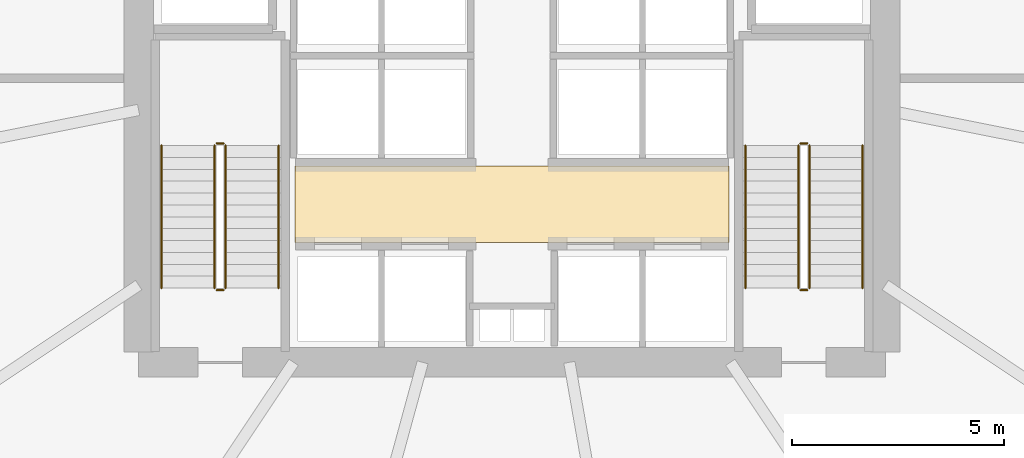
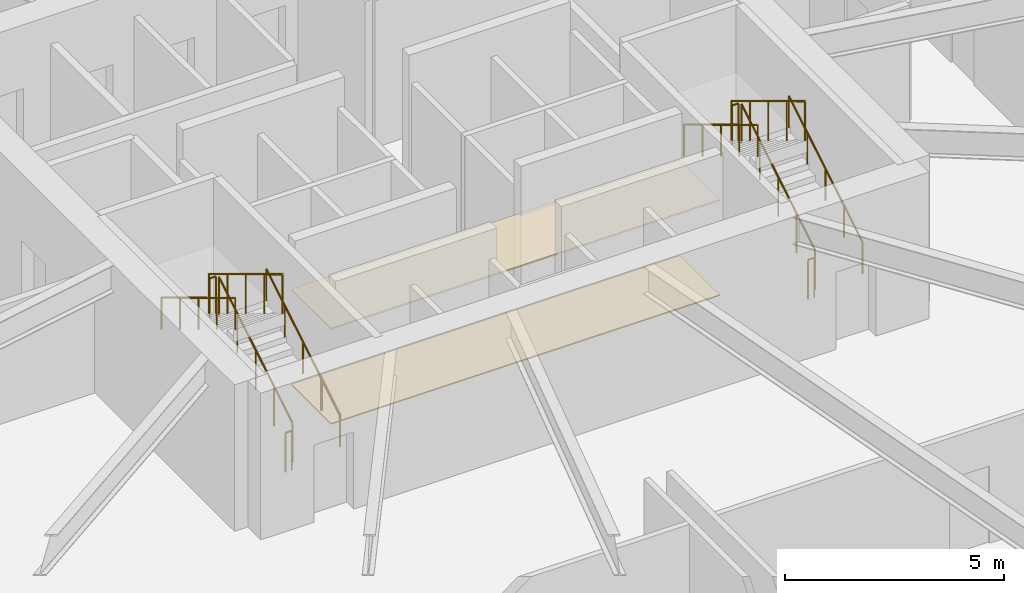
# One storey, part 31 of 34: 12 railings, 2 coverings.
"""IFC4 building model written with IfcOpenShell, lengths in metres."""

from ifc_helpers import new_model, si_unit, direction, frame, origin, origin_2d, place, context, subcontext, project, spatial, polyline, circle, outline, extrude, material, layer, layer_set, type_object, element, save


model = new_model("IFC4")

# Units and contexts
model_context = context("Model", 3, precision=1e-05, world=origin(), true_north=direction((0.0, 1.0)))
body_context = subcontext(model_context, "Body", "Model", "MODEL_VIEW")
ifc_project = project(units=[si_unit("LENGTHUNIT", "METRE"), si_unit("AREAUNIT", "SQUARE_METRE"), si_unit("VOLUMEUNIT", "CUBIC_METRE"), si_unit("PLANEANGLEUNIT", "RADIAN"), si_unit("MASSUNIT", "GRAM", prefix="KILO"), si_unit("THERMODYNAMICTEMPERATUREUNIT", "KELVIN")], contexts=[model_context])

# Site, building, storey
site_placement = place(None, origin())
site = spatial("IfcSite", under=ifc_project, at=site_placement, CompositionType="ELEMENT")
building_placement = place(site_placement, origin())
building = spatial("IfcBuilding", under=site, at=building_placement, Name="Kethvar Cultural Tower", CompositionType="ELEMENT")
storey_placement = place(building_placement, frame((0.0, 0.0, 19.60009765625)))
storey = spatial("IfcBuildingStorey", under=building, at=storey_placement, Name="L04", CompositionType="ELEMENT", Elevation=19.60009765625)

# Coverings
ifc_material_1 = material(Name="Acoustic Mineral Fibre Ceiling")
ifc_layer_1 = layer(ifc_material_1, 0.0400390625, Name="Acoustic Mineral Fibre Ceiling")
ifc_layer_set_1 = layer_set([ifc_layer_1], Name="Acoustic Mineral Fibre Ceiling (40 mm)")
covering_type_1 = type_object("IfcCoveringType", Name="CV-ACOUSTIC-CEIL", PredefinedType="CEILING", material=ifc_layer_set_1)
covering_1_placement = place(storey_placement, frame((0.0, 0.0, 2.639892578125)))
element("IfcCovering", 1, at=covering_1_placement, inside=storey, type_object=covering_type_1, Name="L04 Lift Lobby Acoustic Ceiling", PredefinedType="CEILING", context=body_context, shape_type="SweptSolid", body=[
    extrude(outline(polyline([(41.679931640625, 22.919921875), (51.919921875, 22.919921875), (51.919921875, 24.72998046875), (41.679931640625, 24.72998046875), (41.679931640625, 22.919921875)])), origin(), (0.0, 0.0, 1.0), 0.0400390625),
])
ifc_material_2 = material(Name="Honed Warm Limestone", Category="masonry")
ifc_layer_2 = layer(ifc_material_2, 0.030029296875, Name="Honed Warm Limestone", Category="masonry")
ifc_layer_set_2 = layer_set([ifc_layer_2], Name="Honed Warm Limestone (30 mm)")
covering_type_2 = type_object("IfcCoveringType", Name="CV-STONE-FLOOR", PredefinedType="FLOORING", material=ifc_layer_set_2)
covering_2_placement = place(storey_placement, origin())
element("IfcCovering", 2, at=covering_2_placement, inside=storey, type_object=covering_type_2, Name="L04 Lift Lobby Floor Finish", PredefinedType="FLOORING", context=body_context, shape_type="SweptSolid", body=[
    extrude(outline(polyline([(41.679931640625, 22.919921875), (51.919921875, 22.919921875), (51.919921875, 24.72998046875), (41.679931640625, 24.72998046875), (41.679931640625, 22.919921875)])), origin(), (0.0, 0.0, 1.0), 0.02978515625),
])

# Railings
ifc_material_3 = material(Name="Steel S355J2", Category="steel")
railing_type_1 = type_object("IfcRailingType", Name="RL-STAIR-GUARD", PredefinedType="BALUSTRADE", material=ifc_material_3)
railing_1_placement = place(storey_placement, frame((40.050048828125, 21.85009765625, 0.169189453125)))
element("IfcRailing", 3, at=railing_1_placement, inside=storey, type_object=railing_type_1, Name="L04 ST-01 stair guard 1", PredefinedType="BALUSTRADE", context=body_context, shape_type="SweptSolid", body=[
    extrude(circle(Radius=0.02392578125, at=origin_2d()), frame((0.0, 0.0, 1.09619140625), z_axis=(0.0, 0.855820338506, 0.51727318527), x_axis=(-1.0, 0.0, 0.0)), (0.0, 0.0, 1.0), 3.92578125),
    extrude(circle(Radius=0.02099609375, at=origin_2d()), origin(), (0.0, 0.0, 1.0), 1.072021484375),
    extrude(circle(Radius=0.02099609375, at=origin_2d()), frame((0.0, 0.83984375, 0.5078125)), (0.0, 0.0, 1.0), 1.072021484375),
    extrude(circle(Radius=0.02099609375, at=origin_2d()), frame((0.0, 1.679931640625, 1.015380859375)), (0.0, 0.0, 1.0), 1.072021484375),
    extrude(circle(Radius=0.02099609375, at=origin_2d()), frame((0.0, 2.52001953125, 1.52294921875)), (0.0, 0.0, 1.0), 1.072021484375),
    extrude(circle(Radius=0.02099609375, at=origin_2d()), frame((0.0, 3.35986328125, 2.03076171875)), (0.0, 0.0, 1.0), 1.072021484375),
])
railing_2_placement = place(storey_placement, frame((40.0, 25.260009765625, 2.199951171875)))
element("IfcRailing", 4, at=railing_2_placement, inside=storey, type_object=railing_type_1, Name="L04 ST-01 stair guard 2", PredefinedType="BALUSTRADE", context=body_context, shape_type="SweptSolid", body=[
    extrude(circle(Radius=0.02392578125, at=origin_2d()), frame((0.0, 0.0, 1.09619140625), z_axis=(-1.0, 0.0, 0.0), x_axis=(0.0, -1.0, 0.0)), (0.0, 0.0, 1.0), 0.159912109375),
    extrude(circle(Radius=0.02099609375, at=origin_2d()), origin(), (0.0, 0.0, 1.0), 1.072021484375),
    extrude(circle(Radius=0.02099609375, at=origin_2d()), frame((-0.159912109375, 0.0, 0.0)), (0.0, 0.0, 1.0), 1.072021484375),
])
railing_3_placement = place(storey_placement, frame((39.7900390625, 25.2099609375, 2.369140625)))
element("IfcRailing", 5, at=railing_3_placement, inside=storey, type_object=railing_type_1, Name="L04 ST-01 stair guard 3", PredefinedType="BALUSTRADE", context=body_context, shape_type="SweptSolid", body=[
    extrude(circle(Radius=0.02392578125, at=origin_2d()), frame((0.0, 0.0, 1.09619140625), z_axis=(0.0, -0.855820338506, 0.51727318527), x_axis=(1.0, 0.0, 0.0)), (0.0, 0.0, 1.0), 3.92578125),
    extrude(circle(Radius=0.02099609375, at=origin_2d()), origin(), (0.0, 0.0, 1.0), 1.072021484375),
    extrude(circle(Radius=0.02099609375, at=origin_2d()), frame((0.0, -0.83984375, 0.5078125)), (0.0, 0.0, 1.0), 1.072021484375),
    extrude(circle(Radius=0.02099609375, at=origin_2d()), frame((0.0, -1.679931640625, 1.015380859375)), (0.0, 0.0, 1.0), 1.072021484375),
    extrude(circle(Radius=0.02099609375, at=origin_2d()), frame((0.0, -2.52001953125, 1.52294921875)), (0.0, 0.0, 1.0), 1.072021484375),
    extrude(circle(Radius=0.02099609375, at=origin_2d()), frame((0.0, -3.35986328125, 2.03076171875)), (0.0, 0.0, 1.0), 1.072021484375),
])
railing_4_placement = place(storey_placement, frame((40.0, 21.800048828125, 0.0)))
element("IfcRailing", 6, at=railing_4_placement, inside=storey, type_object=railing_type_1, Name="L04 ST-01 stair guard 4", PredefinedType="BALUSTRADE", context=body_context, shape_type="SweptSolid", body=[
    extrude(circle(Radius=0.02392578125, at=origin_2d()), frame((0.0, 0.0, 1.09619140625), z_axis=(-1.0, 0.0, 0.0), x_axis=(0.0, -1.0, 0.0)), (0.0, 0.0, 1.0), 0.159912109375),
    extrude(circle(Radius=0.02099609375, at=origin_2d()), origin(), (0.0, 0.0, 1.0), 1.072021484375),
    extrude(circle(Radius=0.02099609375, at=origin_2d()), frame((-0.159912109375, 0.0, 0.0)), (0.0, 0.0, 1.0), 1.072021484375),
])
railing_5_placement = place(storey_placement, frame((53.81005859375, 21.85009765625, 0.169189453125)))
element("IfcRailing", 7, at=railing_5_placement, inside=storey, type_object=railing_type_1, Name="L04 ST-02 stair guard 1", PredefinedType="BALUSTRADE", context=body_context, shape_type="SweptSolid", body=[
    extrude(circle(Radius=0.02392578125, at=origin_2d()), frame((0.0, 0.0, 1.09619140625), z_axis=(0.0, 0.855820338506, 0.51727318527), x_axis=(-1.0, 0.0, 0.0)), (0.0, 0.0, 1.0), 3.92578125),
    extrude(circle(Radius=0.02099609375, at=origin_2d()), origin(), (0.0, 0.0, 1.0), 1.072021484375),
    extrude(circle(Radius=0.02099609375, at=origin_2d()), frame((0.0, 0.83984375, 0.5078125)), (0.0, 0.0, 1.0), 1.072021484375),
    extrude(circle(Radius=0.02099609375, at=origin_2d()), frame((0.0, 1.679931640625, 1.015380859375)), (0.0, 0.0, 1.0), 1.072021484375),
    extrude(circle(Radius=0.02099609375, at=origin_2d()), frame((0.0, 2.52001953125, 1.52294921875)), (0.0, 0.0, 1.0), 1.072021484375),
    extrude(circle(Radius=0.02099609375, at=origin_2d()), frame((0.0, 3.35986328125, 2.03076171875)), (0.0, 0.0, 1.0), 1.072021484375),
])
railing_6_placement = place(storey_placement, frame((53.760009765625, 25.260009765625, 2.199951171875)))
element("IfcRailing", 8, at=railing_6_placement, inside=storey, type_object=railing_type_1, Name="L04 ST-02 stair guard 2", PredefinedType="BALUSTRADE", context=body_context, shape_type="SweptSolid", body=[
    extrude(circle(Radius=0.02392578125, at=origin_2d()), frame((0.0, 0.0, 1.09619140625), z_axis=(-1.0, 0.0, 0.0), x_axis=(0.0, -1.0, 0.0)), (0.0, 0.0, 1.0), 0.159912109375),
    extrude(circle(Radius=0.02099609375, at=origin_2d()), origin(), (0.0, 0.0, 1.0), 1.072021484375),
    extrude(circle(Radius=0.02099609375, at=origin_2d()), frame((-0.159912109375, 0.0, 0.0)), (0.0, 0.0, 1.0), 1.072021484375),
])
railing_7_placement = place(storey_placement, frame((53.550048828125, 25.2099609375, 2.369140625)))
element("IfcRailing", 9, at=railing_7_placement, inside=storey, type_object=railing_type_1, Name="L04 ST-02 stair guard 3", PredefinedType="BALUSTRADE", context=body_context, shape_type="SweptSolid", body=[
    extrude(circle(Radius=0.02392578125, at=origin_2d()), frame((0.0, 0.0, 1.09619140625), z_axis=(0.0, -0.855820338506, 0.51727318527), x_axis=(1.0, 0.0, 0.0)), (0.0, 0.0, 1.0), 3.92578125),
    extrude(circle(Radius=0.02099609375, at=origin_2d()), origin(), (0.0, 0.0, 1.0), 1.072021484375),
    extrude(circle(Radius=0.02099609375, at=origin_2d()), frame((0.0, -0.83984375, 0.5078125)), (0.0, 0.0, 1.0), 1.072021484375),
    extrude(circle(Radius=0.02099609375, at=origin_2d()), frame((0.0, -1.679931640625, 1.015380859375)), (0.0, 0.0, 1.0), 1.072021484375),
    extrude(circle(Radius=0.02099609375, at=origin_2d()), frame((0.0, -2.52001953125, 1.52294921875)), (0.0, 0.0, 1.0), 1.072021484375),
    extrude(circle(Radius=0.02099609375, at=origin_2d()), frame((0.0, -3.35986328125, 2.03076171875)), (0.0, 0.0, 1.0), 1.072021484375),
])
railing_8_placement = place(storey_placement, frame((53.760009765625, 21.800048828125, 0.0)))
element("IfcRailing", 10, at=railing_8_placement, inside=storey, type_object=railing_type_1, Name="L04 ST-02 stair guard 4", PredefinedType="BALUSTRADE", context=body_context, shape_type="SweptSolid", body=[
    extrude(circle(Radius=0.02392578125, at=origin_2d()), frame((0.0, 0.0, 1.09619140625), z_axis=(-1.0, 0.0, 0.0), x_axis=(0.0, -1.0, 0.0)), (0.0, 0.0, 1.0), 0.159912109375),
    extrude(circle(Radius=0.02099609375, at=origin_2d()), origin(), (0.0, 0.0, 1.0), 1.072021484375),
    extrude(circle(Radius=0.02099609375, at=origin_2d()), frame((-0.159912109375, 0.0, 0.0)), (0.0, 0.0, 1.0), 1.072021484375),
])
railing_type_2 = type_object("IfcRailingType", Name="RL-STAIR-HANDRAIL", PredefinedType="HANDRAIL", material=ifc_material_3)
railing_9_placement = place(storey_placement, frame((41.300048828125, 21.85009765625, 0.169189453125)))
element("IfcRailing", 11, at=railing_9_placement, inside=storey, type_object=railing_type_2, Name="L04 ST-01 stair handrail 1", PredefinedType="HANDRAIL", context=body_context, shape_type="SweptSolid", body=[
    extrude(circle(Radius=0.02392578125, at=origin_2d()), frame((0.0, 0.0, 0.8759765625), z_axis=(0.0, 0.855820338506, 0.51727318527), x_axis=(-1.0, 0.0, 0.0)), (0.0, 0.0, 1.0), 3.92578125),
    extrude(circle(Radius=0.02099609375, at=origin_2d()), origin(), (0.0, 0.0, 1.0), 0.851806640625),
    extrude(circle(Radius=0.02099609375, at=origin_2d()), frame((0.0, 0.83984375, 0.5078125)), (0.0, 0.0, 1.0), 0.851806640625),
    extrude(circle(Radius=0.02099609375, at=origin_2d()), frame((0.0, 1.679931640625, 1.015380859375)), (0.0, 0.0, 1.0), 0.851806640625),
    extrude(circle(Radius=0.02099609375, at=origin_2d()), frame((0.0, 2.52001953125, 1.52294921875)), (0.0, 0.0, 1.0), 0.851806640625),
    extrude(circle(Radius=0.02099609375, at=origin_2d()), frame((0.0, 3.35986328125, 2.03076171875)), (0.0, 0.0, 1.0), 0.851806640625),
])
railing_10_placement = place(storey_placement, frame((38.5400390625, 25.2099609375, 2.369140625)))
element("IfcRailing", 12, at=railing_10_placement, inside=storey, type_object=railing_type_2, Name="L04 ST-01 stair handrail 2", PredefinedType="HANDRAIL", context=body_context, shape_type="SweptSolid", body=[
    extrude(circle(Radius=0.02392578125, at=origin_2d()), frame((0.0, 0.0, 0.8759765625), z_axis=(0.0, -0.855820338506, 0.51727318527), x_axis=(1.0, 0.0, 0.0)), (0.0, 0.0, 1.0), 3.92578125),
    extrude(circle(Radius=0.02099609375, at=origin_2d()), origin(), (0.0, 0.0, 1.0), 0.851806640625),
    extrude(circle(Radius=0.02099609375, at=origin_2d()), frame((0.0, -0.83984375, 0.5078125)), (0.0, 0.0, 1.0), 0.851806640625),
    extrude(circle(Radius=0.02099609375, at=origin_2d()), frame((0.0, -1.679931640625, 1.015380859375)), (0.0, 0.0, 1.0), 0.851806640625),
    extrude(circle(Radius=0.02099609375, at=origin_2d()), frame((0.0, -2.52001953125, 1.52294921875)), (0.0, 0.0, 1.0), 0.851806640625),
    extrude(circle(Radius=0.02099609375, at=origin_2d()), frame((0.0, -3.35986328125, 2.03076171875)), (0.0, 0.0, 1.0), 0.851806640625),
])
railing_11_placement = place(storey_placement, frame((55.06005859375, 21.85009765625, 0.169189453125)))
element("IfcRailing", 13, at=railing_11_placement, inside=storey, type_object=railing_type_2, Name="L04 ST-02 stair handrail 1", PredefinedType="HANDRAIL", context=body_context, shape_type="SweptSolid", body=[
    extrude(circle(Radius=0.02392578125, at=origin_2d()), frame((0.0, 0.0, 0.8759765625), z_axis=(0.0, 0.855820338506, 0.51727318527), x_axis=(-1.0, 0.0, 0.0)), (0.0, 0.0, 1.0), 3.92578125),
    extrude(circle(Radius=0.02099609375, at=origin_2d()), origin(), (0.0, 0.0, 1.0), 0.851806640625),
    extrude(circle(Radius=0.02099609375, at=origin_2d()), frame((0.0, 0.83984375, 0.5078125)), (0.0, 0.0, 1.0), 0.851806640625),
    extrude(circle(Radius=0.02099609375, at=origin_2d()), frame((0.0, 1.679931640625, 1.015380859375)), (0.0, 0.0, 1.0), 0.851806640625),
    extrude(circle(Radius=0.02099609375, at=origin_2d()), frame((0.0, 2.52001953125, 1.52294921875)), (0.0, 0.0, 1.0), 0.851806640625),
    extrude(circle(Radius=0.02099609375, at=origin_2d()), frame((0.0, 3.35986328125, 2.03076171875)), (0.0, 0.0, 1.0), 0.851806640625),
])
railing_12_placement = place(storey_placement, frame((52.300048828125, 25.2099609375, 2.369140625)))
element("IfcRailing", 14, at=railing_12_placement, inside=storey, type_object=railing_type_2, Name="L04 ST-02 stair handrail 2", PredefinedType="HANDRAIL", context=body_context, shape_type="SweptSolid", body=[
    extrude(circle(Radius=0.02392578125, at=origin_2d()), frame((0.0, 0.0, 0.8759765625), z_axis=(0.0, -0.855820338506, 0.51727318527), x_axis=(1.0, 0.0, 0.0)), (0.0, 0.0, 1.0), 3.92578125),
    extrude(circle(Radius=0.02099609375, at=origin_2d()), origin(), (0.0, 0.0, 1.0), 0.851806640625),
    extrude(circle(Radius=0.02099609375, at=origin_2d()), frame((0.0, -0.83984375, 0.5078125)), (0.0, 0.0, 1.0), 0.851806640625),
    extrude(circle(Radius=0.02099609375, at=origin_2d()), frame((0.0, -1.679931640625, 1.015380859375)), (0.0, 0.0, 1.0), 0.851806640625),
    extrude(circle(Radius=0.02099609375, at=origin_2d()), frame((0.0, -2.52001953125, 1.52294921875)), (0.0, 0.0, 1.0), 0.851806640625),
    extrude(circle(Radius=0.02099609375, at=origin_2d()), frame((0.0, -3.35986328125, 2.03076171875)), (0.0, 0.0, 1.0), 0.851806640625),
])

save(model, "model.ifc")
